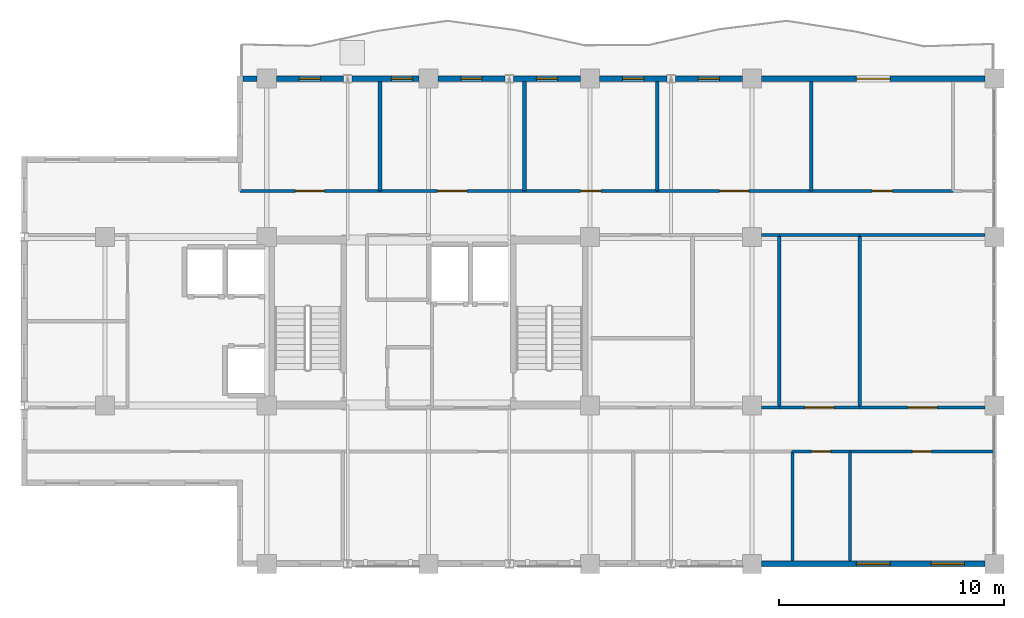
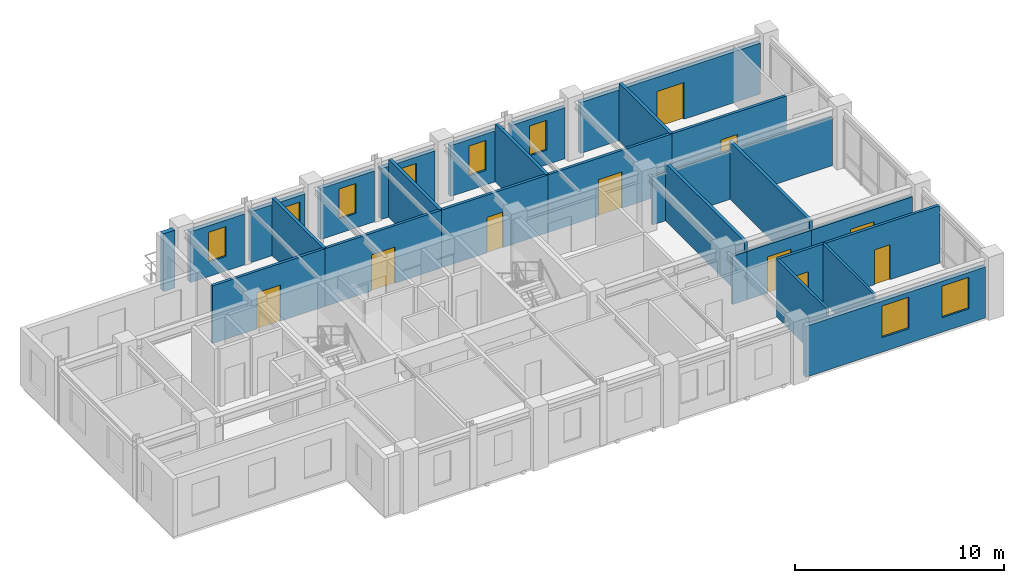
# One storey, part 8 of 10: 30 walls, 10 doors, 8 windows, 18 openings.
"""IFC4 building model written with IfcOpenShell, lengths in metres."""

from ifc_helpers import new_model, si_unit, direction, frame, frame_2d, origin, place, context, subcontext, project, spatial, rectangle, extrude, material, layer, layer_set, type_object, element, fill, save


model = new_model("IFC4")

# Units and contexts
model_context = context("Model", 3, precision=1e-05, world=origin(), true_north=direction((0.0, 1.0)))
body_context = subcontext(model_context, "Body", "Model", "MODEL_VIEW")
ifc_project = project(units=[si_unit("LENGTHUNIT", "METRE"), si_unit("AREAUNIT", "SQUARE_METRE"), si_unit("VOLUMEUNIT", "CUBIC_METRE"), si_unit("PLANEANGLEUNIT", "RADIAN"), si_unit("MASSUNIT", "GRAM", prefix="KILO")], contexts=[model_context])

# Site, building, storey
site_placement = place(None, origin())
site = spatial("IfcSite", under=ifc_project, at=site_placement, CompositionType="ELEMENT")
building_placement = place(site_placement, origin())
building = spatial("IfcBuilding", under=site, at=building_placement, Name="Kaliganga Portal Commons", CompositionType="ELEMENT")
storey_placement = place(building_placement, frame((0.0, 0.0, 294.300048828125)))
storey = spatial("IfcBuildingStorey", under=building, at=storey_placement, Name="L76", CompositionType="ELEMENT", Elevation=294.300048828125)

# Wall, openings, windows
ifc_material_1 = material(Name="Insulated Aluminium-Clad Spandrel Assembly", Category="aluminium")
ifc_layer_1 = layer(ifc_material_1, 0.260009765625)
ifc_layer_set_1 = layer_set([ifc_layer_1], Name="Insulated Aluminium-Clad Spandrel Assembly")
wall_type_1 = type_object("IfcWallType", Name="WL-EXT-SPAND-260", PredefinedType="STANDARD", material=ifc_layer_set_1)
wall_1_placement = place(storey_placement, frame((46.3740234375, 21.60009765625, 0.0), z_axis=(0.0, 0.0, 1.0), x_axis=(-1.0, 0.0, 0.0)))
wall_1 = element("IfcWall", 1, at=wall_1_placement, inside=storey, type_object=wall_type_1, Name="Exterior Envelope Wall L76 P1-E00-S8", PredefinedType="STANDARD", context=body_context, shape_type="SweptSolid", body=[
    extrude(rectangle(XDim=9.947998046875, YDim=0.260009765625, at=frame_2d((4.97412109375, 0.0))), origin(), (0.0, 0.0, 1.0), 2.97998046875),
])
opening_1_placement = place(wall_1_placement, frame((0.907958984375, 0.0, 0.85009765625)))
opening_1 = element("IfcOpeningElement", 2, at=opening_1_placement, cuts=wall_1, Name="Opening W-02", PredefinedType="OPENING", context=body_context, shape_type="SweptSolid", body=[
    extrude(rectangle(XDim=1.5, YDim=1.85009765625, at=frame_2d((0.75, 0.925048828125))), frame((0.0, 0.14013671875, 0.0), z_axis=(0.0, -1.0, 0.0), x_axis=(1.0, 0.0, 0.0)), (0.0, 0.0, 1.0), 0.280029296875),
])
opening_2_placement = place(wall_1_placement, frame((4.22412109375, 0.0, 0.85009765625)))
opening_2 = element("IfcOpeningElement", 3, at=opening_2_placement, cuts=wall_1, Name="Opening W-02", PredefinedType="OPENING", context=body_context, shape_type="SweptSolid", body=[
    extrude(rectangle(XDim=1.5, YDim=1.85009765625, at=frame_2d((0.75, 0.925048828125))), frame((0.0, 0.14013671875, 0.0), z_axis=(0.0, -1.0, 0.0), x_axis=(1.0, 0.0, 0.0)), (0.0, 0.0, 1.0), 0.280029296875),
])
ifc_material_2 = material(Name="Thermally Broken Aluminium and Low-E Double Glazing", Category="aluminium")
window_type_1 = type_object("IfcWindowType", Name="WIN-STD-1500", PartitioningType="DOUBLE_PANEL_VERTICAL", PredefinedType="WINDOW", material=ifc_material_2)
window_1_placement = place(opening_1_placement, origin())
window_1 = element("IfcWindow", 4, at=window_1_placement, inside=storey, type_object=window_type_1, Name="Facade Window L76-P1E00S8-00", OverallHeight=1.85009765625, OverallWidth=1.5, PartitioningType="SINGLE_PANEL", PredefinedType="WINDOW", context=body_context, shape_type="SweptSolid", body=[
    extrude(rectangle(XDim=1.5, YDim=1.85009765625, at=frame_2d((0.75, 0.925048828125))), frame((0.0, 0.030029296875, 0.0), z_axis=(0.0, -1.0, 0.0), x_axis=(1.0, 0.0, 0.0)), (0.0, 0.0, 1.0), 0.06005859375),
])
fill(opening_1, window_1)
window_2_placement = place(opening_2_placement, origin())
window_2 = element("IfcWindow", 5, at=window_2_placement, inside=storey, type_object=window_type_1, Name="Facade Window L76-P1E00S8-01", OverallHeight=1.85009765625, OverallWidth=1.5, PartitioningType="SINGLE_PANEL", PredefinedType="WINDOW", context=body_context, shape_type="SweptSolid", body=[
    extrude(rectangle(XDim=1.5, YDim=1.85009765625, at=frame_2d((0.75, 0.925048828125))), frame((0.0, 0.030029296875, 0.0), z_axis=(0.0, -1.0, 0.0), x_axis=(1.0, 0.0, 0.0)), (0.0, 0.0, 1.0), 0.06005859375),
])
fill(opening_2, window_2)

# Wall, opening, door
wall_2_placement = place(storey_placement, frame((36.426025390625, 43.199951171875, 0.0), z_axis=(0.0, 0.0, 1.0), x_axis=(1.0, 0.0, 0.0)))
wall_2 = element("IfcWall", 6, at=wall_2_placement, inside=storey, type_object=wall_type_1, Name="Exterior Envelope Wall L76 P1-E02-S1", PredefinedType="STANDARD", context=body_context, shape_type="SweptSolid", body=[
    extrude(rectangle(XDim=9.947998046875, YDim=0.260009765625, at=frame_2d((4.97412109375, 0.0))), origin(), (0.0, 0.0, 1.0), 2.97998046875),
])
opening_3_placement = place(wall_2_placement, frame((4.22412109375, 0.0, 0.0)))
opening_3 = element("IfcOpeningElement", 7, at=opening_3_placement, cuts=wall_2, Name="Opening BD-01", PredefinedType="OPENING", context=body_context, shape_type="SweptSolid", body=[
    extrude(rectangle(XDim=1.5, YDim=2.14990234375, at=frame_2d((0.75, 1.074951171875))), frame((0.0, 0.14013671875, 0.0), z_axis=(0.0, -1.0, 0.0), x_axis=(1.0, 0.0, 0.0)), (0.0, 0.0, 1.0), 0.280029296875),
])
ifc_material_3 = material(Name="Anodized Aluminium and Laminated Safety Glass", Category="aluminium")
door_type_1 = type_object("IfcDoorType", Name="DR-BALC-1500", OperationType="SLIDING_TO_LEFT", PredefinedType="DOOR", material=ifc_material_3)
door_1_placement = place(opening_3_placement, origin())
door_1 = element("IfcDoor", 8, at=door_1_placement, inside=storey, type_object=door_type_1, Name="Balcony Sliding Door L76 balc_north", OperationType="SLIDING_TO_LEFT", OverallHeight=2.14990234375, OverallWidth=1.5, PredefinedType="DOOR", context=body_context, shape_type="SweptSolid", body=[
    extrude(rectangle(XDim=1.5, YDim=2.14990234375, at=frame_2d((0.75, 1.074951171875))), frame((0.0, 0.02490234375, 0.0), z_axis=(0.0, -1.0, 0.0), x_axis=(1.0, 0.0, 0.0)), (0.0, 0.0, 1.0), 0.050048828125),
])
fill(opening_3, door_1)

# Wall, opening, window
wall_3_placement = place(storey_placement, frame((32.587890625, 43.199951171875, 0.0), z_axis=(0.0, 0.0, 1.0), x_axis=(1.0, 0.0, 0.0)))
wall_3 = element("IfcWall", 9, at=wall_3_placement, inside=storey, type_object=wall_type_1, Name="Exterior Envelope Wall L76 P1-E02-S2", PredefinedType="STANDARD", context=body_context, shape_type="SweptSolid", body=[
    extrude(rectangle(XDim=2.986083984375, YDim=0.260009765625, at=frame_2d((1.4931640625, 0.0))), origin(), (0.0, 0.0, 1.0), 2.97998046875),
])
opening_4_placement = place(wall_3_placement, frame((1.01806640625, 0.0, 0.85009765625)))
opening_4 = element("IfcOpeningElement", 10, at=opening_4_placement, cuts=wall_3, Name="Opening W-04", PredefinedType="OPENING", context=body_context, shape_type="SweptSolid", body=[
    extrude(rectangle(XDim=0.949951171875, YDim=1.75, at=frame_2d((0.47509765625, 0.875))), frame((0.0, 0.14013671875, 0.0), z_axis=(0.0, -1.0, 0.0), x_axis=(1.0, 0.0, 0.0)), (0.0, 0.0, 1.0), 0.280029296875),
])
window_type_2 = type_object("IfcWindowType", Name="WIN-NARROW-950", PartitioningType="SINGLE_PANEL", PredefinedType="WINDOW", material=ifc_material_2)
window_3_placement = place(opening_4_placement, origin())
window_3 = element("IfcWindow", 11, at=window_3_placement, inside=storey, type_object=window_type_2, Name="Facade Window L76-P1E02S2-00", OverallHeight=1.75, OverallWidth=0.949951171875, PartitioningType="SINGLE_PANEL", PredefinedType="WINDOW", context=body_context, shape_type="SweptSolid", body=[
    extrude(rectangle(XDim=0.949951171875, YDim=1.75, at=frame_2d((0.47509765625, 0.875))), frame((0.0, 0.030029296875, 0.0), z_axis=(0.0, -1.0, 0.0), x_axis=(1.0, 0.0, 0.0)), (0.0, 0.0, 1.0), 0.06005859375),
])
fill(opening_4, window_3)

wall_4_placement = place(storey_placement, frame((29.22607421875, 43.199951171875, 0.0), z_axis=(0.0, 0.0, 1.0), x_axis=(1.0, 0.0, 0.0)))
wall_4 = element("IfcWall", 12, at=wall_4_placement, inside=storey, type_object=wall_type_1, Name="Exterior Envelope Wall L76 P1-E02-S3", PredefinedType="STANDARD", context=body_context, shape_type="SweptSolid", body=[
    extrude(rectangle(XDim=2.98583984375, YDim=0.260009765625, at=frame_2d((1.492919921875, 0.0))), origin(), (0.0, 0.0, 1.0), 2.97998046875),
])
opening_5_placement = place(wall_4_placement, frame((1.01806640625, 0.0, 0.85009765625)))
opening_5 = element("IfcOpeningElement", 13, at=opening_5_placement, cuts=wall_4, Name="Opening W-04", PredefinedType="OPENING", context=body_context, shape_type="SweptSolid", body=[
    extrude(rectangle(XDim=0.949951171875, YDim=1.75, at=frame_2d((0.47509765625, 0.875))), frame((0.0, 0.14013671875, 0.0), z_axis=(0.0, -1.0, 0.0), x_axis=(1.0, 0.0, 0.0)), (0.0, 0.0, 1.0), 0.280029296875),
])
window_4_placement = place(opening_5_placement, origin())
window_4 = element("IfcWindow", 14, at=window_4_placement, inside=storey, type_object=window_type_2, Name="Facade Window L76-P1E02S3-00", OverallHeight=1.75, OverallWidth=0.949951171875, PartitioningType="SINGLE_PANEL", PredefinedType="WINDOW", context=body_context, shape_type="SweptSolid", body=[
    extrude(rectangle(XDim=0.949951171875, YDim=1.75, at=frame_2d((0.47509765625, 0.875))), frame((0.0, 0.030029296875, 0.0), z_axis=(0.0, -1.0, 0.0), x_axis=(1.0, 0.0, 0.0)), (0.0, 0.0, 1.0), 0.06005859375),
])
fill(opening_5, window_4)

wall_5_placement = place(storey_placement, frame((25.387939453125, 43.199951171875, 0.0), z_axis=(0.0, 0.0, 1.0), x_axis=(1.0, 0.0, 0.0)))
wall_5 = element("IfcWall", 15, at=wall_5_placement, inside=storey, type_object=wall_type_1, Name="Exterior Envelope Wall L76 P1-E02-S4", PredefinedType="STANDARD", context=body_context, shape_type="SweptSolid", body=[
    extrude(rectangle(XDim=2.986083984375, YDim=0.260009765625, at=frame_2d((1.4931640625, 0.0))), origin(), (0.0, 0.0, 1.0), 2.97998046875),
])
opening_6_placement = place(wall_5_placement, frame((1.01806640625, 0.0, 0.85009765625)))
opening_6 = element("IfcOpeningElement", 16, at=opening_6_placement, cuts=wall_5, Name="Opening W-04", PredefinedType="OPENING", context=body_context, shape_type="SweptSolid", body=[
    extrude(rectangle(XDim=0.949951171875, YDim=1.75, at=frame_2d((0.47509765625, 0.875))), frame((0.0, 0.14013671875, 0.0), z_axis=(0.0, -1.0, 0.0), x_axis=(1.0, 0.0, 0.0)), (0.0, 0.0, 1.0), 0.280029296875),
])
window_5_placement = place(opening_6_placement, origin())
window_5 = element("IfcWindow", 17, at=window_5_placement, inside=storey, type_object=window_type_2, Name="Facade Window L76-P1E02S4-00", OverallHeight=1.75, OverallWidth=0.949951171875, PartitioningType="SINGLE_PANEL", PredefinedType="WINDOW", context=body_context, shape_type="SweptSolid", body=[
    extrude(rectangle(XDim=0.949951171875, YDim=1.75, at=frame_2d((0.47509765625, 0.875))), frame((0.0, 0.030029296875, 0.0), z_axis=(0.0, -1.0, 0.0), x_axis=(1.0, 0.0, 0.0)), (0.0, 0.0, 1.0), 0.06005859375),
])
fill(opening_6, window_5)

wall_6_placement = place(storey_placement, frame((22.02587890625, 43.199951171875, 0.0), z_axis=(0.0, 0.0, 1.0), x_axis=(1.0, 0.0, 0.0)))
wall_6 = element("IfcWall", 18, at=wall_6_placement, inside=storey, type_object=wall_type_1, Name="Exterior Envelope Wall L76 P1-E02-S5", PredefinedType="STANDARD", context=body_context, shape_type="SweptSolid", body=[
    extrude(rectangle(XDim=2.986083984375, YDim=0.260009765625, at=frame_2d((1.4931640625, 0.0))), origin(), (0.0, 0.0, 1.0), 2.97998046875),
])
opening_7_placement = place(wall_6_placement, frame((1.01806640625, 0.0, 0.85009765625)))
opening_7 = element("IfcOpeningElement", 19, at=opening_7_placement, cuts=wall_6, Name="Opening W-04", PredefinedType="OPENING", context=body_context, shape_type="SweptSolid", body=[
    extrude(rectangle(XDim=0.949951171875, YDim=1.75, at=frame_2d((0.47509765625, 0.875))), frame((0.0, 0.14013671875, 0.0), z_axis=(0.0, -1.0, 0.0), x_axis=(1.0, 0.0, 0.0)), (0.0, 0.0, 1.0), 0.280029296875),
])
window_6_placement = place(opening_7_placement, origin())
window_6 = element("IfcWindow", 20, at=window_6_placement, inside=storey, type_object=window_type_2, Name="Facade Window L76-P1E02S5-00", OverallHeight=1.75, OverallWidth=0.949951171875, PartitioningType="SINGLE_PANEL", PredefinedType="WINDOW", context=body_context, shape_type="SweptSolid", body=[
    extrude(rectangle(XDim=0.949951171875, YDim=1.75, at=frame_2d((0.47509765625, 0.875))), frame((0.0, 0.030029296875, 0.0), z_axis=(0.0, -1.0, 0.0), x_axis=(1.0, 0.0, 0.0)), (0.0, 0.0, 1.0), 0.06005859375),
])
fill(opening_7, window_6)

wall_7_placement = place(storey_placement, frame((18.18798828125, 43.199951171875, 0.0), z_axis=(0.0, 0.0, 1.0), x_axis=(1.0, 0.0, 0.0)))
wall_7 = element("IfcWall", 21, at=wall_7_placement, inside=storey, type_object=wall_type_1, Name="Exterior Envelope Wall L76 P1-E02-S6", PredefinedType="STANDARD", context=body_context, shape_type="SweptSolid", body=[
    extrude(rectangle(XDim=2.986083984375, YDim=0.260009765625, at=frame_2d((1.4931640625, 0.0))), origin(), (0.0, 0.0, 1.0), 2.97998046875),
])
opening_8_placement = place(wall_7_placement, frame((1.758544921875, 0.0, 0.85009765625)))
opening_8 = element("IfcOpeningElement", 22, at=opening_8_placement, cuts=wall_7, Name="Opening W-04", PredefinedType="OPENING", context=body_context, shape_type="SweptSolid", body=[
    extrude(rectangle(XDim=0.949951171875, YDim=1.75, at=frame_2d((0.47509765625, 0.875))), frame((0.0, 0.14013671875, 0.0), z_axis=(0.0, -1.0, 0.0), x_axis=(1.0, 0.0, 0.0)), (0.0, 0.0, 1.0), 0.280029296875),
])
window_7_placement = place(opening_8_placement, origin())
window_7 = element("IfcWindow", 23, at=window_7_placement, inside=storey, type_object=window_type_2, Name="Facade Window L76-P1E02S6-N2", OverallHeight=1.75, OverallWidth=0.949951171875, PartitioningType="SINGLE_PANEL", PredefinedType="WINDOW", context=body_context, shape_type="SweptSolid", body=[
    extrude(rectangle(XDim=0.949951171875, YDim=1.75, at=frame_2d((0.47509765625, 0.875))), frame((0.0, 0.030029296875, 0.0), z_axis=(0.0, -1.0, 0.0), x_axis=(1.0, 0.0, 0.0)), (0.0, 0.0, 1.0), 0.06005859375),
])
fill(opening_8, window_7)

wall_8_placement = place(storey_placement, frame((14.825927734375, 43.199951171875, 0.0), z_axis=(0.0, 0.0, 1.0), x_axis=(1.0, 0.0, 0.0)))
wall_8 = element("IfcWall", 24, at=wall_8_placement, inside=storey, type_object=wall_type_1, Name="Exterior Envelope Wall L76 P1-E02-S7", PredefinedType="STANDARD", context=body_context, shape_type="SweptSolid", body=[
    extrude(rectangle(XDim=2.986083984375, YDim=0.260009765625, at=frame_2d((1.4931640625, 0.0))), origin(), (0.0, 0.0, 1.0), 2.97998046875),
])
opening_9_placement = place(wall_8_placement, frame((1.01806640625, 0.0, 0.85009765625)))
opening_9 = element("IfcOpeningElement", 25, at=opening_9_placement, cuts=wall_8, Name="Opening W-04", PredefinedType="OPENING", context=body_context, shape_type="SweptSolid", body=[
    extrude(rectangle(XDim=0.949951171875, YDim=1.75, at=frame_2d((0.47509765625, 0.875))), frame((0.0, 0.14013671875, 0.0), z_axis=(0.0, -1.0, 0.0), x_axis=(1.0, 0.0, 0.0)), (0.0, 0.0, 1.0), 0.280029296875),
])
window_8_placement = place(opening_9_placement, origin())
window_8 = element("IfcWindow", 26, at=window_8_placement, inside=storey, type_object=window_type_2, Name="Facade Window L76-P1E02S7-00", OverallHeight=1.75, OverallWidth=0.949951171875, PartitioningType="SINGLE_PANEL", PredefinedType="WINDOW", context=body_context, shape_type="SweptSolid", body=[
    extrude(rectangle(XDim=0.949951171875, YDim=1.75, at=frame_2d((0.47509765625, 0.875))), frame((0.0, 0.030029296875, 0.0), z_axis=(0.0, -1.0, 0.0), x_axis=(1.0, 0.0, 0.0)), (0.0, 0.0, 1.0), 0.06005859375),
])
fill(opening_9, window_8)

# Wall
wall_9_placement = place(storey_placement, frame((13.3349609375, 43.199951171875, 0.0), z_axis=(0.0, 0.0, 1.0), x_axis=(1.0, 0.0, 0.0)))
element("IfcWall", 27, at=wall_9_placement, inside=storey, type_object=wall_type_1, Name="Exterior Envelope Wall L76 P1-E02-S8", PredefinedType="STANDARD", context=body_context, shape_type="SweptSolid", body=[
    extrude(rectangle(XDim=0.63916015625, YDim=0.260009765625, at=frame_2d((0.319580078125, 0.0))), origin(), (0.0, 0.0, 1.0), 3.3798828125),
])

# Wall, opening, door
ifc_material_4 = material(Name="Fire-Rated Gypsum Board on Steel Stud", Category="steel")
ifc_layer_2 = layer(ifc_material_4, 0.14990234375)
ifc_layer_set_2 = layer_set([ifc_layer_2], Name="Fire-Rated Gypsum Board on Steel Stud")
wall_type_2 = type_object("IfcWallType", Name="WL-PART-CORR-150", PredefinedType="PARTITIONING", material=ifc_layer_set_2)
wall_10_placement = place(storey_placement, frame((31.780029296875, 38.199951171875, 0.0), z_axis=(0.0, 0.0, 1.0), x_axis=(1.0, 0.0, 0.0)))
wall_10 = element("IfcWall", 28, at=wall_10_placement, inside=storey, type_object=wall_type_2, Name="Interior Partition L76-004", PredefinedType="PARTITIONING", context=body_context, shape_type="SweptSolid", body=[
    extrude(rectangle(XDim=6.85986328125, YDim=0.14990234375, at=frame_2d((3.429931640625, 0.0))), origin(), (0.0, 0.0, 1.0), 3.3798828125),
])
opening_10_placement = place(wall_10_placement, frame((2.780029296875, 0.0, 0.0)))
opening_10 = element("IfcOpeningElement", 29, at=opening_10_placement, cuts=wall_10, Name="Opening RD-03", PredefinedType="OPENING", context=body_context, shape_type="SweptSolid", body=[
    extrude(rectangle(XDim=1.300048828125, YDim=2.1201171875, at=frame_2d((0.64990234375, 1.06005859375))), frame((0.0, 0.0849609375, 0.0), z_axis=(0.0, -1.0, 0.0), x_axis=(1.0, 0.0, 0.0)), (0.0, 0.0, 1.0), 0.169921875),
])
ifc_material_5 = material(Name="Glazed Timber Seminar Vision Door", Category="wood")
door_type_2 = type_object("IfcDoorType", Name="DR-STUDY-1300", OperationType="DOUBLE_DOOR_SINGLE_SWING", PredefinedType="DOOR", material=ifc_material_5)
door_2_placement = place(opening_10_placement, origin())
door_2 = element("IfcDoor", 30, at=door_2_placement, inside=storey, type_object=door_type_2, Name="Interior Door L76-AN04", OperationType="DOUBLE_DOOR_SINGLE_SWING", OverallHeight=2.1201171875, OverallWidth=1.300048828125, PredefinedType="DOOR", context=body_context, shape_type="SweptSolid", body=[
    extrude(rectangle(XDim=1.300048828125, YDim=2.1201171875, at=frame_2d((0.64990234375, 1.06005859375))), frame((0.0, 0.02490234375, 0.0), z_axis=(0.0, -1.0, 0.0), x_axis=(1.0, 0.0, 0.0)), (0.0, 0.0, 1.0), 0.050048828125),
])
fill(opening_10, door_2)

wall_11_placement = place(storey_placement, frame((40.360107421875, 26.60009765625, 0.0), z_axis=(0.0, 0.0, 1.0), x_axis=(1.0, 0.0, 0.0)))
wall_11 = element("IfcWall", 31, at=wall_11_placement, inside=storey, type_object=wall_type_2, Name="Interior Partition L76-005", PredefinedType="PARTITIONING", context=body_context, shape_type="SweptSolid", body=[
    extrude(rectangle(XDim=6.419921875, YDim=0.14990234375, at=frame_2d((3.2099609375, 0.0))), origin(), (0.0, 0.0, 1.0), 3.3798828125),
])
opening_11_placement = place(wall_11_placement, frame((2.784912109375, 0.0, 0.0)))
opening_11 = element("IfcOpeningElement", 32, at=opening_11_placement, cuts=wall_11, Name="Opening WD-01", PredefinedType="OPENING", context=body_context, shape_type="SweptSolid", body=[
    extrude(rectangle(XDim=0.85009765625, YDim=2.0400390625, at=frame_2d((0.425048828125, 1.02001953125))), frame((0.0, 0.0849609375, 0.0), z_axis=(0.0, -1.0, 0.0), x_axis=(1.0, 0.0, 0.0)), (0.0, 0.0, 1.0), 0.169921875),
])
ifc_material_6 = material(Name="Moisture-Resistant Laminate Timber Door", Category="wood")
door_type_3 = type_object("IfcDoorType", Name="DR-WET-850", OperationType="NOTDEFINED", PredefinedType="DOOR", material=ifc_material_6)
door_3_placement = place(opening_11_placement, origin())
door_3 = element("IfcDoor", 33, at=door_3_placement, inside=storey, type_object=door_type_3, Name="Interior Door L76-AS05", OperationType="SINGLE_SWING_LEFT", OverallHeight=2.0400390625, OverallWidth=0.85009765625, PredefinedType="DOOR", context=body_context, shape_type="SweptSolid", body=[
    extrude(rectangle(XDim=0.85009765625, YDim=2.0400390625, at=frame_2d((0.425048828125, 1.02001953125))), frame((0.0, 0.02490234375, 0.0), z_axis=(0.0, -1.0, 0.0), x_axis=(1.0, 0.0, 0.0)), (0.0, 0.0, 1.0), 0.050048828125),
])
fill(opening_11, door_3)

wall_12_placement = place(storey_placement, frame((19.43994140625, 38.199951171875, 0.0), z_axis=(0.0, 0.0, 1.0), x_axis=(1.0, 0.0, 0.0)))
wall_12 = element("IfcWall", 34, at=wall_12_placement, inside=storey, type_object=wall_type_2, Name="Interior Partition L76-006", PredefinedType="PARTITIONING", context=body_context, shape_type="SweptSolid", body=[
    extrude(rectangle(XDim=6.43994140625, YDim=0.14990234375, at=frame_2d((3.219970703125, 0.0))), origin(), (0.0, 0.0, 1.0), 3.3798828125),
])
opening_12_placement = place(wall_12_placement, frame((2.570068359375, 0.0, 0.0)))
opening_12 = element("IfcOpeningElement", 35, at=opening_12_placement, cuts=wall_12, Name="Opening RD-03", PredefinedType="OPENING", context=body_context, shape_type="SweptSolid", body=[
    extrude(rectangle(XDim=1.300048828125, YDim=2.1201171875, at=frame_2d((0.64990234375, 1.06005859375))), frame((0.0, 0.0849609375, 0.0), z_axis=(0.0, -1.0, 0.0), x_axis=(1.0, 0.0, 0.0)), (0.0, 0.0, 1.0), 0.169921875),
])
door_4_placement = place(opening_12_placement, origin())
door_4 = element("IfcDoor", 36, at=door_4_placement, inside=storey, type_object=door_type_2, Name="Interior Door L76-AN02", OperationType="DOUBLE_DOOR_SINGLE_SWING", OverallHeight=2.1201171875, OverallWidth=1.300048828125, PredefinedType="DOOR", context=body_context, shape_type="SweptSolid", body=[
    extrude(rectangle(XDim=1.300048828125, YDim=2.1201171875, at=frame_2d((0.64990234375, 1.06005859375))), frame((0.0, 0.02490234375, 0.0), z_axis=(0.0, -1.0, 0.0), x_axis=(1.0, 0.0, 0.0)), (0.0, 0.0, 1.0), 0.050048828125),
])
fill(opening_12, door_4)

wall_13_placement = place(storey_placement, frame((38.639892578125, 38.199951171875, 0.0), z_axis=(0.0, 0.0, 1.0), x_axis=(1.0, 0.0, 0.0)))
wall_13 = element("IfcWall", 37, at=wall_13_placement, inside=storey, type_object=wall_type_2, Name="Interior Partition L76-007", PredefinedType="PARTITIONING", context=body_context, shape_type="SweptSolid", body=[
    extrude(rectangle(XDim=6.320068359375, YDim=0.14990234375, at=frame_2d((3.16015625, 0.0))), origin(), (0.0, 0.0, 1.0), 3.3798828125),
])
opening_13_placement = place(wall_13_placement, frame((2.7099609375, 0.0, 0.0)))
opening_13 = element("IfcOpeningElement", 38, at=opening_13_placement, cuts=wall_13, Name="Opening RD-01", PredefinedType="OPENING", context=body_context, shape_type="SweptSolid", body=[
    extrude(rectangle(XDim=0.89990234375, YDim=2.080078125, at=frame_2d((0.449951171875, 1.0400390625))), frame((0.0, 0.0849609375, 0.0), z_axis=(0.0, -1.0, 0.0), x_axis=(1.0, 0.0, 0.0)), (0.0, 0.0, 1.0), 0.169921875),
])
ifc_material_7 = material(Name="Engineered Timber Flush Door", Category="wood")
door_type_4 = type_object("IfcDoorType", Name="DR-ROOM-900", OperationType="NOTDEFINED", PredefinedType="DOOR", material=ifc_material_7)
door_5_placement = place(opening_13_placement, origin())
door_5 = element("IfcDoor", 39, at=door_5_placement, inside=storey, type_object=door_type_4, Name="Interior Door L76-AN05", OperationType="SINGLE_SWING_LEFT", OverallHeight=2.080078125, OverallWidth=0.89990234375, PredefinedType="DOOR", context=body_context, shape_type="SweptSolid", body=[
    extrude(rectangle(XDim=0.89990234375, YDim=2.080078125, at=frame_2d((0.449951171875, 1.0400390625))), frame((0.0, 0.02490234375, 0.0), z_axis=(0.0, -1.0, 0.0), x_axis=(1.0, 0.0, 0.0)), (0.0, 0.0, 1.0), 0.050048828125),
])
fill(opening_13, door_5)

wall_14_placement = place(storey_placement, frame((13.199951171875, 38.199951171875, 0.0), z_axis=(0.0, 0.0, 1.0), x_axis=(1.0, 0.0, 0.0)))
wall_14 = element("IfcWall", 40, at=wall_14_placement, inside=storey, type_object=wall_type_2, Name="Interior Partition L76-008", PredefinedType="PARTITIONING", context=body_context, shape_type="SweptSolid", body=[
    extrude(rectangle(XDim=6.239990234375, YDim=0.14990234375, at=frame_2d((3.1201171875, 0.0))), origin(), (0.0, 0.0, 1.0), 3.3798828125),
])
opening_14_placement = place(wall_14_placement, frame((2.469970703125, 0.0, 0.0)))
opening_14 = element("IfcOpeningElement", 41, at=opening_14_placement, cuts=wall_14, Name="Opening RD-03", PredefinedType="OPENING", context=body_context, shape_type="SweptSolid", body=[
    extrude(rectangle(XDim=1.300048828125, YDim=2.1201171875, at=frame_2d((0.64990234375, 1.06005859375))), frame((0.0, 0.0849609375, 0.0), z_axis=(0.0, -1.0, 0.0), x_axis=(1.0, 0.0, 0.0)), (0.0, 0.0, 1.0), 0.169921875),
])
door_6_placement = place(opening_14_placement, origin())
door_6 = element("IfcDoor", 42, at=door_6_placement, inside=storey, type_object=door_type_2, Name="Interior Door L76-AN01", OperationType="DOUBLE_DOOR_SINGLE_SWING", OverallHeight=2.1201171875, OverallWidth=1.300048828125, PredefinedType="DOOR", context=body_context, shape_type="SweptSolid", body=[
    extrude(rectangle(XDim=1.300048828125, YDim=2.1201171875, at=frame_2d((0.64990234375, 1.06005859375))), frame((0.0, 0.02490234375, 0.0), z_axis=(0.0, -1.0, 0.0), x_axis=(1.0, 0.0, 0.0)), (0.0, 0.0, 1.0), 0.050048828125),
])
fill(opening_14, door_6)

wall_15_placement = place(storey_placement, frame((40.800048828125, 28.56005859375, 0.0), z_axis=(0.0, 0.0, 1.0), x_axis=(1.0, 0.0, 0.0)))
wall_15 = element("IfcWall", 43, at=wall_15_placement, inside=storey, type_object=wall_type_2, Name="Interior Partition L76-009", PredefinedType="PARTITIONING", context=body_context, shape_type="SweptSolid", body=[
    extrude(rectangle(XDim=5.574951171875, YDim=0.14990234375, at=frame_2d((2.78759765625, 0.0))), origin(), (0.0, 0.0, 1.0), 2.829833984375),
])
opening_15_placement = place(wall_15_placement, frame((2.137451171875, 0.0, 0.0)))
opening_15 = element("IfcOpeningElement", 44, at=opening_15_placement, cuts=wall_15, Name="Opening RD-03", PredefinedType="OPENING", context=body_context, shape_type="SweptSolid", body=[
    extrude(rectangle(XDim=1.300048828125, YDim=2.1201171875, at=frame_2d((0.64990234375, 1.06005859375))), frame((0.0, 0.0849609375, 0.0), z_axis=(0.0, -1.0, 0.0), x_axis=(1.0, 0.0, 0.0)), (0.0, 0.0, 1.0), 0.169921875),
])
door_7_placement = place(opening_15_placement, origin())
door_7 = element("IfcDoor", 45, at=door_7_placement, inside=storey, type_object=door_type_2, Name="Interior Door L76-AE03", OperationType="DOUBLE_DOOR_SINGLE_SWING", OverallHeight=2.1201171875, OverallWidth=1.300048828125, PredefinedType="DOOR", context=body_context, shape_type="SweptSolid", body=[
    extrude(rectangle(XDim=1.300048828125, YDim=2.1201171875, at=frame_2d((0.64990234375, 1.06005859375))), frame((0.0, 0.02490234375, 0.0), z_axis=(0.0, -1.0, 0.0), x_axis=(1.0, 0.0, 0.0)), (0.0, 0.0, 1.0), 0.050048828125),
])
fill(opening_15, door_7)

# Wall
wall_16_placement = place(storey_placement, frame((40.800048828125, 36.239990234375, 0.0), z_axis=(0.0, 0.0, 1.0), x_axis=(1.0, 0.0, 0.0)))
element("IfcWall", 46, at=wall_16_placement, inside=storey, type_object=wall_type_2, Name="Interior Partition L76-010", PredefinedType="PARTITIONING", context=body_context, shape_type="SweptSolid", body=[
    extrude(rectangle(XDim=5.574951171875, YDim=0.14990234375, at=frame_2d((2.78759765625, 0.0))), origin(), (0.0, 0.0, 1.0), 2.829833984375),
])

# Wall, opening, door
wall_17_placement = place(storey_placement, frame((25.8798828125, 38.199951171875, 0.0), z_axis=(0.0, 0.0, 1.0), x_axis=(1.0, 0.0, 0.0)))
wall_17 = element("IfcWall", 47, at=wall_17_placement, inside=storey, type_object=wall_type_2, Name="Interior Partition L76-011", PredefinedType="PARTITIONING", context=body_context, shape_type="SweptSolid", body=[
    extrude(rectangle(XDim=5.900146484375, YDim=0.14990234375, at=frame_2d((2.9501953125, 0.0))), origin(), (0.0, 0.0, 1.0), 3.3798828125),
])
opening_16_placement = place(wall_17_placement, frame((2.5, 0.0, 0.0)))
opening_16 = element("IfcOpeningElement", 48, at=opening_16_placement, cuts=wall_17, Name="Opening RD-01", PredefinedType="OPENING", context=body_context, shape_type="SweptSolid", body=[
    extrude(rectangle(XDim=0.89990234375, YDim=2.080078125, at=frame_2d((0.449951171875, 1.0400390625))), frame((0.0, 0.0849609375, 0.0), z_axis=(0.0, -1.0, 0.0), x_axis=(1.0, 0.0, 0.0)), (0.0, 0.0, 1.0), 0.169921875),
])
door_8_placement = place(opening_16_placement, origin())
door_8 = element("IfcDoor", 49, at=door_8_placement, inside=storey, type_object=door_type_4, Name="Interior Door L76-AN03", OperationType="SINGLE_SWING_RIGHT", OverallHeight=2.080078125, OverallWidth=0.89990234375, PredefinedType="DOOR", context=body_context, shape_type="SweptSolid", body=[
    extrude(rectangle(XDim=0.89990234375, YDim=2.080078125, at=frame_2d((0.449951171875, 1.0400390625))), frame((0.0, 0.02490234375, 0.0), z_axis=(0.0, -1.0, 0.0), x_axis=(1.0, 0.0, 0.0)), (0.0, 0.0, 1.0), 0.050048828125),
])
fill(opening_16, door_8)

# Walls
for number, where, z_axis, x_axis, name in (
    (50, (36.425048828125, 28.56005859375, 0.0), (0.0, 0.0, 1.0), (1.0, 0.0, 0.0), "Interior Partition L76-017"),
    (51, (36.425048828125, 36.239990234375, 0.0), (0.0, 0.0, 1.0), (1.0, 0.0, 0.0), "Interior Partition L76-019"),
):
    element("IfcWall", number, at=place(storey_placement, frame(where, z_axis=z_axis, x_axis=x_axis)), inside=storey, type_object=wall_type_2, Name=name, PredefinedType="PARTITIONING", context=body_context, shape_type="SweptSolid", body=[
        extrude(rectangle(XDim=0.794921875, YDim=0.14990234375, at=frame_2d((0.3974609375, 0.0))), origin(), (0.0, 0.0, 1.0), 2.829833984375),
    ])

# Wall, opening, door
wall_18_placement = place(storey_placement, frame((37.219970703125, 28.56005859375, 0.0), z_axis=(0.0, 0.0, 1.0), x_axis=(1.0, 0.0, 0.0)))
wall_18 = element("IfcWall", 52, at=wall_18_placement, inside=storey, type_object=wall_type_2, Name="Interior Partition L76-022", PredefinedType="PARTITIONING", context=body_context, shape_type="SweptSolid", body=[
    extrude(rectangle(XDim=3.580078125, YDim=0.14990234375, at=frame_2d((1.7900390625, 0.0))), origin(), (0.0, 0.0, 1.0), 2.829833984375),
])
opening_17_placement = place(wall_18_placement, frame((1.139892578125, 0.0, 0.0)))
opening_17 = element("IfcOpeningElement", 53, at=opening_17_placement, cuts=wall_18, Name="Opening RD-03", PredefinedType="OPENING", context=body_context, shape_type="SweptSolid", body=[
    extrude(rectangle(XDim=1.300048828125, YDim=2.1201171875, at=frame_2d((0.64990234375, 1.06005859375))), frame((0.0, 0.0849609375, 0.0), z_axis=(0.0, -1.0, 0.0), x_axis=(1.0, 0.0, 0.0)), (0.0, 0.0, 1.0), 0.169921875),
])
door_9_placement = place(opening_17_placement, origin())
door_9 = element("IfcDoor", 54, at=door_9_placement, inside=storey, type_object=door_type_2, Name="Interior Door L76-AE02", OperationType="DOUBLE_DOOR_SINGLE_SWING", OverallHeight=2.1201171875, OverallWidth=1.300048828125, PredefinedType="DOOR", context=body_context, shape_type="SweptSolid", body=[
    extrude(rectangle(XDim=1.300048828125, YDim=2.1201171875, at=frame_2d((0.64990234375, 1.06005859375))), frame((0.0, 0.02490234375, 0.0), z_axis=(0.0, -1.0, 0.0), x_axis=(1.0, 0.0, 0.0)), (0.0, 0.0, 1.0), 0.050048828125),
])
fill(opening_17, door_9)

# Wall
wall_19_placement = place(storey_placement, frame((37.219970703125, 36.239990234375, 0.0), z_axis=(0.0, 0.0, 1.0), x_axis=(1.0, 0.0, 0.0)))
element("IfcWall", 55, at=wall_19_placement, inside=storey, type_object=wall_type_2, Name="Interior Partition L76-023", PredefinedType="PARTITIONING", context=body_context, shape_type="SweptSolid", body=[
    extrude(rectangle(XDim=3.580078125, YDim=0.14990234375, at=frame_2d((1.7900390625, 0.0))), origin(), (0.0, 0.0, 1.0), 2.829833984375),
])

# Wall, opening, door
wall_20_placement = place(storey_placement, frame((37.800048828125, 26.60009765625, 0.0), z_axis=(0.0, 0.0, 1.0), x_axis=(1.0, 0.0, 0.0)))
wall_20 = element("IfcWall", 56, at=wall_20_placement, inside=storey, type_object=wall_type_2, Name="Interior Partition L76-028", PredefinedType="PARTITIONING", context=body_context, shape_type="SweptSolid", body=[
    extrude(rectangle(XDim=2.56005859375, YDim=0.14990234375, at=frame_2d((1.280029296875, 0.0))), origin(), (0.0, 0.0, 1.0), 3.3798828125),
])
opening_18_placement = place(wall_20_placement, frame((0.85498046875, 0.0, 0.0)))
opening_18 = element("IfcOpeningElement", 57, at=opening_18_placement, cuts=wall_20, Name="Opening WD-01", PredefinedType="OPENING", context=body_context, shape_type="SweptSolid", body=[
    extrude(rectangle(XDim=0.85009765625, YDim=2.0400390625, at=frame_2d((0.425048828125, 1.02001953125))), frame((0.0, 0.0849609375, 0.0), z_axis=(0.0, -1.0, 0.0), x_axis=(1.0, 0.0, 0.0)), (0.0, 0.0, 1.0), 0.169921875),
])
door_10_placement = place(opening_18_placement, origin())
door_10 = element("IfcDoor", 58, at=door_10_placement, inside=storey, type_object=door_type_3, Name="Interior Door L76-AS04", OperationType="SINGLE_SWING_LEFT", OverallHeight=2.0400390625, OverallWidth=0.85009765625, PredefinedType="DOOR", context=body_context, shape_type="SweptSolid", body=[
    extrude(rectangle(XDim=0.85009765625, YDim=2.0400390625, at=frame_2d((0.425048828125, 1.02001953125))), frame((0.0, 0.02490234375, 0.0), z_axis=(0.0, -1.0, 0.0), x_axis=(1.0, 0.0, 0.0)), (0.0, 0.0, 1.0), 0.050048828125),
])
fill(opening_18, door_10)

# Walls
ifc_material_8 = material(Name="Twin-Stud Acoustic Gypsum Partition", Category="gypsum")
ifc_layer_3 = layer(ifc_material_8, 0.1650390625)
ifc_layer_set_3 = layer_set([ifc_layer_3], Name="Twin-Stud Acoustic Gypsum Partition")
wall_type_3 = type_object("IfcWallType", Name="WL-PART-UNIT-165", PredefinedType="PARTITIONING", material=ifc_layer_set_3)
for number, where, z_axis, x_axis, name in (
    (59, (37.219970703125, 28.56005859375, 0.0), (0.0, 0.0, 1.0), (0.0, 1.0, 0.0), "Interior Partition L76-034"),
    (60, (40.800048828125, 28.56005859375, 0.0), (0.0, 0.0, 1.0), (0.0, 1.0, 0.0), "Interior Partition L76-035"),
):
    element("IfcWall", number, at=place(storey_placement, frame(where, z_axis=z_axis, x_axis=x_axis)), inside=storey, type_object=wall_type_3, Name=name, PredefinedType="PARTITIONING", context=body_context, shape_type="SweptSolid", body=[
        extrude(rectangle(XDim=7.679931640625, YDim=0.1650390625, at=frame_2d((3.83984375, 0.0))), origin(), (0.0, 0.0, 1.0), 3.3798828125),
    ])
for number, where, z_axis, x_axis, name in (
    (61, (19.43994140625, 38.199951171875, 0.0), (0.0, 0.0, 1.0), (0.0, 1.0, 0.0), "Interior Partition L76-038"),
    (62, (25.8798828125, 38.199951171875, 0.0), (0.0, 0.0, 1.0), (0.0, 1.0, 0.0), "Interior Partition L76-039"),
    (63, (31.780029296875, 38.199951171875, 0.0), (0.0, 0.0, 1.0), (0.0, 1.0, 0.0), "Interior Partition L76-041"),
    (64, (38.639892578125, 38.199951171875, 0.0), (0.0, 0.0, 1.0), (0.0, 1.0, 0.0), "Interior Partition L76-043"),
):
    element("IfcWall", number, at=place(storey_placement, frame(where, z_axis=z_axis, x_axis=x_axis)), inside=storey, type_object=wall_type_3, Name=name, PredefinedType="PARTITIONING", context=body_context, shape_type="SweptSolid", body=[
        extrude(rectangle(XDim=4.8681640625, YDim=0.1650390625, at=frame_2d((2.43408203125, 0.0))), origin(), (0.0, 0.0, 1.0), 3.3798828125),
    ])
ifc_material_9 = material(Name="Cement-Board Wet-Room Partition", Category="gypsum")
ifc_layer_4 = layer(ifc_material_9, 0.135009765625)
ifc_layer_set_4 = layer_set([ifc_layer_4], Name="Cement-Board Wet-Room Partition")
wall_type_4 = type_object("IfcWallType", Name="WL-PART-WET-135", PredefinedType="PARTITIONING", material=ifc_layer_set_4)
for number, where, z_axis, x_axis, name in (
    (65, (37.800048828125, 21.73193359375, 0.0), (0.0, 0.0, 1.0), (0.0, 1.0, 0.0), "Interior Partition L76-042"),
    (66, (40.360107421875, 21.73193359375, 0.0), (0.0, 0.0, 1.0), (0.0, 1.0, 0.0), "Interior Partition L76-044"),
):
    element("IfcWall", number, at=place(storey_placement, frame(where, z_axis=z_axis, x_axis=x_axis)), inside=storey, type_object=wall_type_4, Name=name, PredefinedType="PARTITIONING", context=body_context, shape_type="SweptSolid", body=[
        extrude(rectangle(XDim=4.8681640625, YDim=0.135009765625, at=frame_2d((2.43408203125, 0.0))), origin(), (0.0, 0.0, 1.0), 3.3798828125),
    ])

save(model, "model.ifc")
